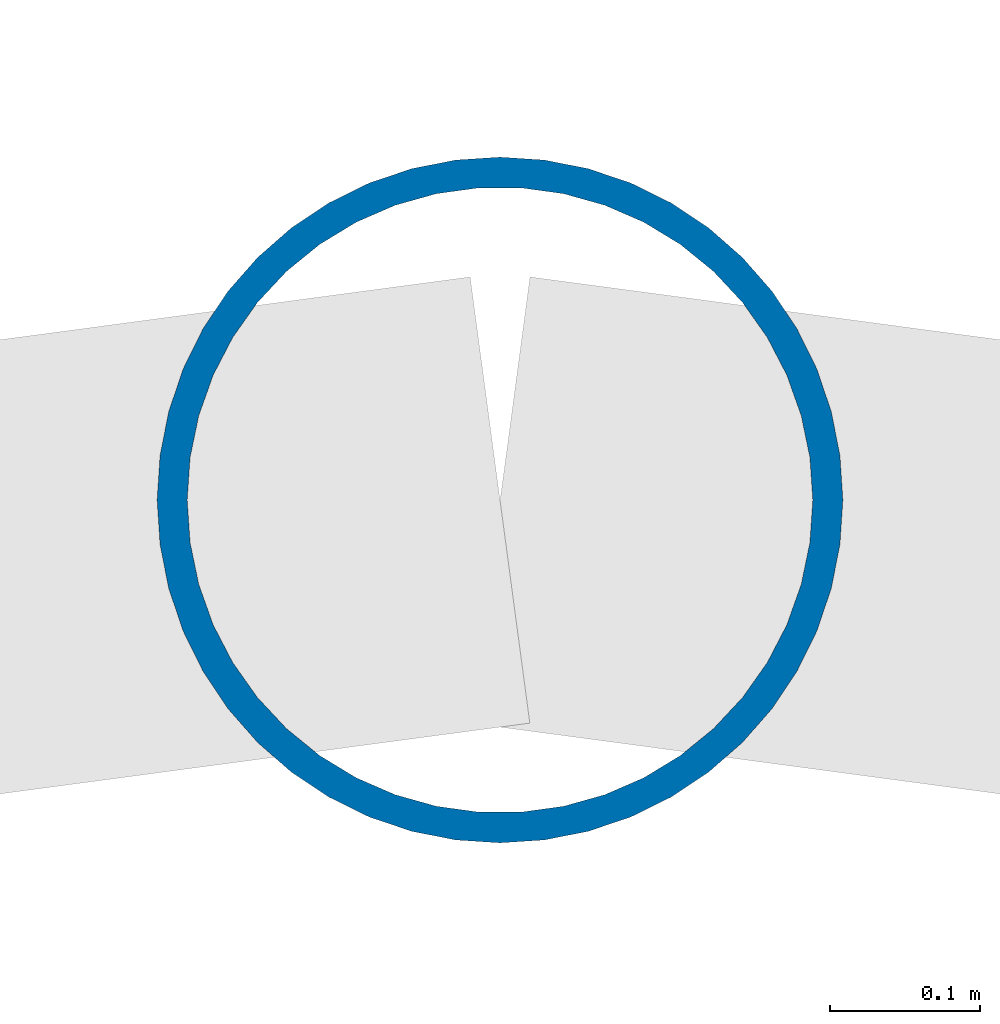
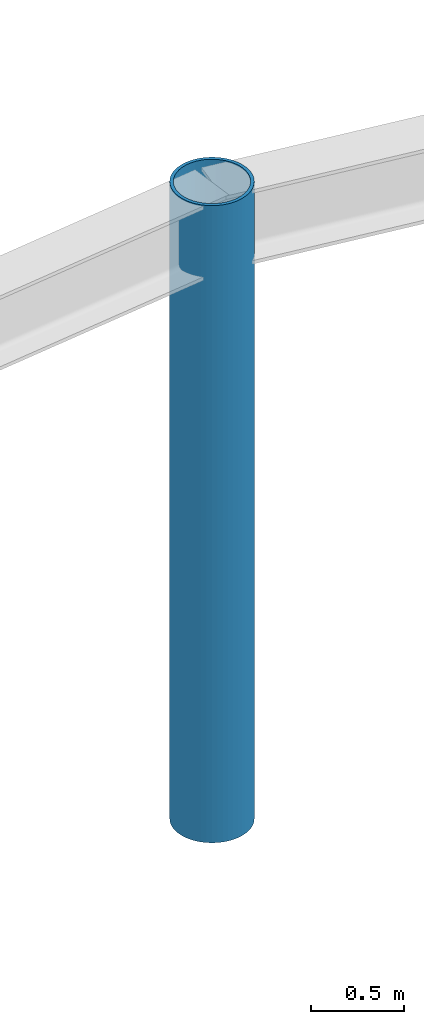
# One storey, part 7 of 73: 1 column.
"""IFC4 building model written with IfcOpenShell, lengths in metres."""

from ifc_helpers import new_model, si_unit, derived_unit, direction, frame, origin, origin_2d, place, context, subcontext, project, spatial, hollow_circle, extrude, material, material_profile, profile_set, type_object, element, save


model = new_model("IFC4")

# Units and contexts
model_context = context("Model", 3, precision=1e-05, world=origin(), true_north=direction((0.0, 1.0)))
body_context = subcontext(model_context, "Body", "Model", "MODEL_VIEW")
ifc_project = project(units=[si_unit("LENGTHUNIT", "METRE"), si_unit("AREAUNIT", "SQUARE_METRE"), si_unit("VOLUMEUNIT", "CUBIC_METRE"), si_unit("PLANEANGLEUNIT", "RADIAN"), si_unit("MASSUNIT", "GRAM", prefix="KILO"), derived_unit("THERMALTRANSMITTANCEUNIT", [(si_unit("MASSUNIT", "GRAM", prefix="KILO"), 1), (si_unit("TIMEUNIT", "SECOND"), -3), (si_unit("THERMODYNAMICTEMPERATUREUNIT", "KELVIN"), -1)])], contexts=[model_context])

# Site, building, storey
site_placement = place(None, origin())
site = spatial("IfcSite", under=ifc_project, at=site_placement, CompositionType="ELEMENT")
building_placement = place(site_placement, origin())
building = spatial("IfcBuilding", under=site, at=building_placement, Name="Kharveza Railside Sports Centre", CompositionType="ELEMENT")
storey_placement = place(building_placement, frame((0.0, 0.0, 8.699951171875)))
storey = spatial("IfcBuildingStorey", under=building, at=storey_placement, Name="L02", CompositionType="ELEMENT", Elevation=8.699951171875)

# Column
ifc_material = material(Name="Steel S355J2", Category="steel")
ifc_material_profile = material_profile(ifc_material, hollow_circle(Radius=0.228515625, WallThickness=0.02001953125, at=origin_2d()), Name="CHS 457.0x20.0")
ifc_profile_set = profile_set([ifc_material_profile], Name="Steel S355J2")
column_type = type_object("IfcColumnType", Name="COL-T01", PredefinedType="COLUMN", material=ifc_profile_set)
column_placement = place(storey_placement, frame((54.60009765625, 75.0, 0.0), z_axis=(0.0, 0.0, 1.0), x_axis=(1.0, 0.0, 0.0)))
element("IfcColumn", 1, at=column_placement, inside=storey, type_object=column_type, Name="COL-DRUM-05-L02", PredefinedType="COLUMN", context=body_context, shape_type="SweptSolid", body=[
    extrude(hollow_circle(Radius=0.228515625, WallThickness=0.02001953125, at=origin_2d()), origin(), (0.0, 0.0, 1.0), 4.199951171875),
])

save(model, "model.ifc")
